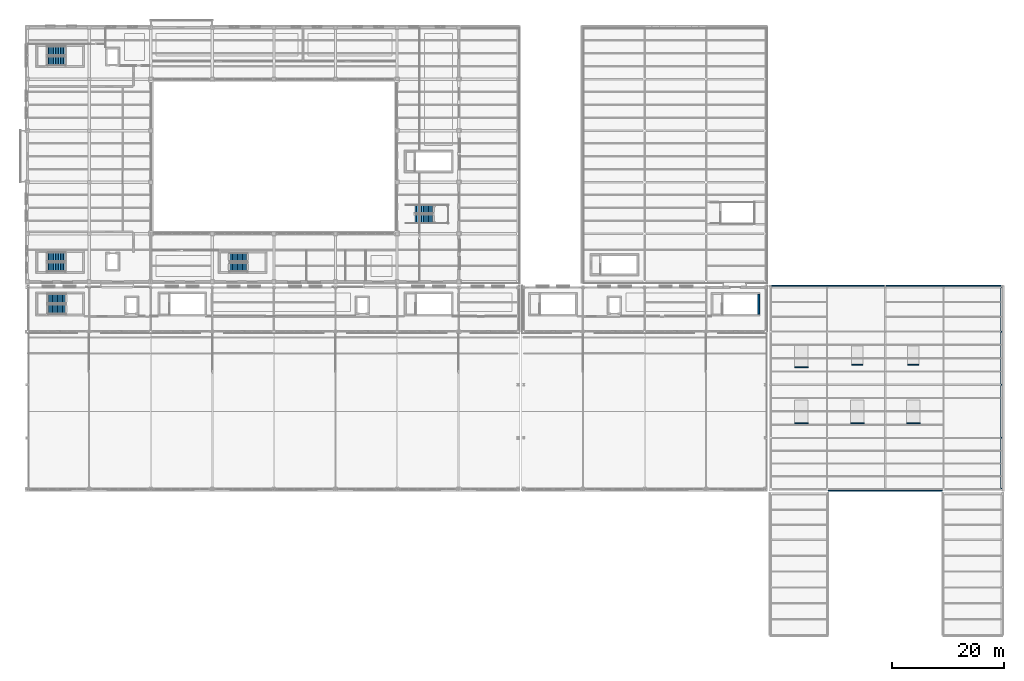
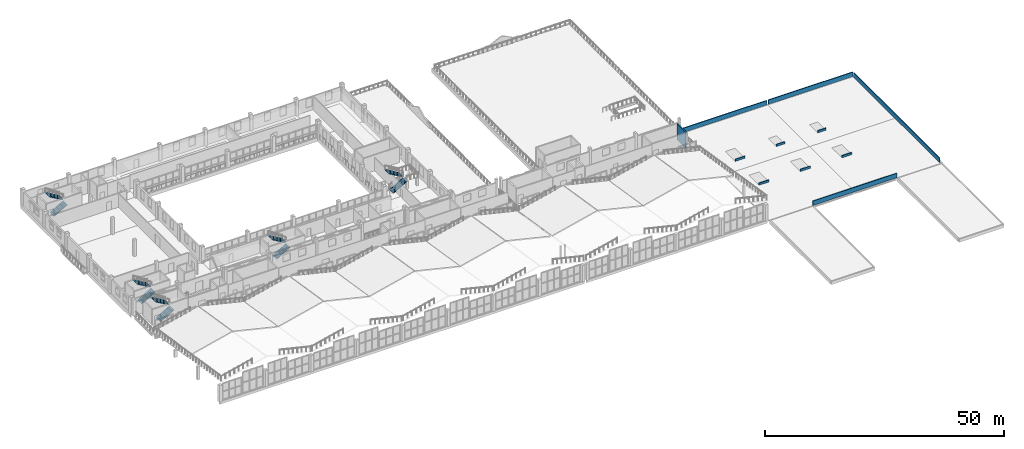
# One storey, part 101 of 120: 11 walls, 10 stair flights, 5 elements without a shape of their own.
"""IFC4 building model written with IfcOpenShell, lengths in metres."""

from ifc_helpers import new_model, si_unit, direction, frame, frame_2d, origin, place, context, subcontext, project, spatial, polyline, rectangle, outline, extrude, material, layer, layer_set, type_object, element, aggregate, save


model = new_model("IFC4")

# Units and contexts
model_context = context("Model", 3, precision=1e-05, world=origin(), true_north=direction((0.0, 1.0)))
body_context = subcontext(model_context, "Body", "Model", "MODEL_VIEW")
ifc_project = project(units=[si_unit("LENGTHUNIT", "METRE"), si_unit("AREAUNIT", "SQUARE_METRE"), si_unit("VOLUMEUNIT", "CUBIC_METRE"), si_unit("PLANEANGLEUNIT", "RADIAN"), si_unit("MASSUNIT", "GRAM", prefix="KILO")], contexts=[model_context])

# Site, building, storey
site_placement = place(None, origin())
site = spatial("IfcSite", under=ifc_project, at=site_placement, CompositionType="ELEMENT")
building_placement = place(site_placement, origin())
building = spatial("IfcBuilding", under=site, at=building_placement, Name="Caurita Quay Ferry Terminal", CompositionType="ELEMENT")
storey_placement = place(building_placement, frame((0.0, 0.0, 9.89990234375)))
storey = spatial("IfcBuildingStorey", under=building, at=storey_placement, Name="L02", CompositionType="ELEMENT", Elevation=9.89990234375)

# Walls
ifc_material_1 = material(Name="Reinforced concrete C35/45", Category="concrete")
ifc_layer_1 = layer(ifc_material_1, 0.300048828125, Name="Interior shear wall 300 mm")
ifc_layer_set_1 = layer_set([ifc_layer_1], Name="Reinforced concrete C35/45")
wall_type_1 = type_object("IfcWallType", Name="WL-CORE-300", PredefinedType="SHEAR", material=ifc_layer_set_1)
wall_1_placement = place(storey_placement, frame((130.60009765625, 65.800048828125, 0.0), z_axis=(0.0, 0.0, 1.0), x_axis=(0.0, 1.0, 0.0)))
element("IfcWall", 1, at=wall_1_placement, inside=storey, type_object=wall_type_1, Name="L02 ST-09 Core Wall East", PredefinedType="SHEAR", context=body_context, shape_type="SweptSolid", body=[
    extrude(rectangle(XDim=3.56005859375, YDim=0.300048828125, at=frame_2d((1.780029296875, 0.0))), origin(), (0.0, 0.0, 1.0), 3.989990234375),
])
ifc_material_2 = material(Name="Coral stone ashlar cladding", Category="masonry")
ifc_layer_2 = layer(ifc_material_2, 0.18994140625, Name="Exterior parapet wall 190 mm")
ifc_layer_set_2 = layer_set([ifc_layer_2], Name="Coral stone ashlar cladding")
wall_type_2 = type_object("IfcWallType", Name="WL-PAR-190", PredefinedType="PARAPET", material=ifc_layer_set_2)
for number, where, z_axis, x_axis, name in (
    (2, (137.0, 46.360107421875, 0.0), (0.0, 0.0, 1.0), (1.0, 0.0, 0.0), "Skylight Curb 01"),
    (3, (147.0, 46.360107421875, 0.0), (0.0, 0.0, 1.0), (1.0, 0.0, 0.0), "Skylight Curb 02"),
    (4, (157.0, 46.360107421875, 0.0), (0.0, 0.0, 1.0), (1.0, 0.0, 0.0), "Skylight Curb 03"),
    (5, (137.0, 56.360107421875, 0.0), (0.0, 0.0, 1.0), (1.0, 0.0, 0.0), "Skylight Curb 04"),
):
    element("IfcWall", number, at=place(storey_placement, frame(where, z_axis=z_axis, x_axis=x_axis)), inside=storey, type_object=wall_type_2, Name=name, PredefinedType="PARAPET", context=body_context, shape_type="SweptSolid", body=[
        extrude(rectangle(XDim=2.39990234375, YDim=0.18994140625, at=frame_2d((1.199951171875, 0.0))), origin(), (0.0, 0.0, 1.0), 0.550048828125),
    ])
for number, where, z_axis, x_axis, name in (
    (6, (147.199951171875, 56.760009765625, 0.0), (0.0, 0.0, 1.0), (1.0, 0.0, 0.0), "Skylight Curb 05"),
    (7, (157.199951171875, 56.760009765625, 0.0), (0.0, 0.0, 1.0), (1.0, 0.0, 0.0), "Skylight Curb 06"),
):
    element("IfcWall", number, at=place(storey_placement, frame(where, z_axis=z_axis, x_axis=x_axis)), inside=storey, type_object=wall_type_2, Name=name, PredefinedType="PARAPET", context=body_context, shape_type="SweptSolid", body=[
        extrude(rectangle(XDim=2.0, YDim=0.18994140625, at=frame_2d((1.0, 0.0))), origin(), (0.0, 0.0, 1.0), 0.550048828125),
    ])
wall_2_placement = place(storey_placement, frame((143.0, 34.300048828125, 0.0), z_axis=(0.0, 0.0, 1.0), x_axis=(1.0, 0.0, 0.0)))
element("IfcWall", 8, at=wall_2_placement, inside=storey, type_object=wall_type_2, Name="L02 Roof Parapet Wall 04", PredefinedType="PARAPET", context=body_context, shape_type="SweptSolid", body=[
    extrude(rectangle(XDim=20.39990234375, YDim=0.18994140625, at=frame_2d((10.199951171875, 0.0))), origin(), (0.0, 0.0, 1.0), 1.150146484375),
])
ifc_material_3 = material(Name="Warm-white lime stucco masonry", Category="masonry")
ifc_layer_3 = layer(ifc_material_3, 0.2099609375, Name="Exterior parapet wall 210 mm")
ifc_layer_set_3 = layer_set([ifc_layer_3], Name="Warm-white lime stucco masonry")
wall_type_3 = type_object("IfcWallType", Name="WL-PAR-210", PredefinedType="PARAPET", material=ifc_layer_set_3)
wall_3_placement = place(storey_placement, frame((132.89990234375, 70.89990234375, 0.0), z_axis=(0.0, 0.0, 1.0), x_axis=(1.0, 0.0, 0.0)))
element("IfcWall", 9, at=wall_3_placement, inside=storey, type_object=wall_type_3, Name="L02 Roof Parapet Wall 01", PredefinedType="PARAPET", context=body_context, shape_type="SweptSolid", body=[
    extrude(rectangle(XDim=20.10009765625, YDim=0.2099609375, at=frame_2d((10.050048828125, 0.0))), origin(), (0.0, 0.0, 1.0), 1.150146484375),
])
wall_4_placement = place(storey_placement, frame((153.39990234375, 70.89990234375, 0.0), z_axis=(0.0, 0.0, 1.0), x_axis=(1.0, 0.0, 0.0)))
element("IfcWall", 10, at=wall_4_placement, inside=storey, type_object=wall_type_3, Name="L02 Roof Parapet Wall 02", PredefinedType="PARAPET", context=body_context, shape_type="SweptSolid", body=[
    extrude(rectangle(XDim=20.400146484375, YDim=0.2099609375, at=frame_2d((10.2001953125, 0.0))), origin(), (0.0, 0.0, 1.0), 1.150146484375),
])
wall_5_placement = place(storey_placement, frame((173.89990234375, 34.60009765625, 0.0), z_axis=(0.0, 0.0, 1.0), x_axis=(0.0, 1.0, 0.0)))
element("IfcWall", 11, at=wall_5_placement, inside=storey, type_object=wall_type_3, Name="L02 Roof Parapet Wall 03", PredefinedType="PARAPET", context=body_context, shape_type="SweptSolid", body=[
    extrude(rectangle(XDim=35.89990234375, YDim=0.2099609375, at=frame_2d((17.949951171875, 0.0))), origin(), (0.0, 0.0, 1.0), 1.150146484375),
])

# Stair, stair flights
stair_type_1 = type_object("IfcStairType", Name="STR-DL-03", PredefinedType="HALF_TURN_STAIR", material=ifc_material_1)
stair_1_placement = place(storey_placement, origin())
stair_1 = element("IfcStair", 12, at=stair_1_placement, inside=storey, type_object=stair_type_1, Name="L02 Protected Exit Stair ST-01", PredefinedType="HALF_TURN_STAIR")
stair_flight_type_1 = type_object("IfcStairFlightType", Name="FLT-DL-03", PredefinedType="STRAIGHT", material=ifc_material_1)
stair_flight_1_placement = place(storey_placement, frame((3.449951171875, 111.02490234375, 0.0), z_axis=(0.0, 0.0, 1.0), x_axis=(1.0, 0.0, 0.0)))
stair_flight_1 = element("IfcStairFlight", 13, at=stair_flight_1_placement, type_object=stair_flight_type_1, Name="ST-01 flight 1", NumberOfRisers=12, NumberOfTreads=11, PredefinedType="STRAIGHT", RiserHeight=0.175, TreadLength=0.3, context=body_context, shape_type="SweptSolid", body=[
    extrude(outline(polyline([(0.0, 0.0), (0.0, 0.175048828125), (0.300048828125, 0.175048828125), (0.300048828125, 0.35009765625), (0.60009765625, 0.35009765625), (0.60009765625, 0.52490234375), (0.89990234375, 0.52490234375), (0.89990234375, 0.699951171875), (1.199951171875, 0.699951171875), (1.199951171875, 0.875), (1.5, 0.875), (1.5, 1.050048828125), (1.800048828125, 1.050048828125), (1.800048828125, 1.22509765625), (2.10009765625, 1.22509765625), (2.10009765625, 1.39990234375), (2.39990234375, 1.39990234375), (2.39990234375, 1.574951171875), (2.699951171875, 1.574951171875), (2.699951171875, 1.75), (3.0, 1.75), (3.0, 1.925048828125), (3.300048828125, 1.925048828125), (3.300048828125, 2.10009765625), (3.300048828125, 1.75146484375), (0.297607421875, 0.0), (0.0, 0.0)])), frame((0.0, 0.824951171875, 0.0), z_axis=(0.0, -1.0, 0.0), x_axis=(1.0, 0.0, 0.0)), (0.0, 0.0, 1.0), 1.64990234375),
])
stair_flight_2_placement = place(storey_placement, frame((6.75, 112.8349609375, 2.10009765625), z_axis=(0.0, 0.0, 1.0), x_axis=(-1.0, 0.0, 0.0)))
stair_flight_2 = element("IfcStairFlight", 14, at=stair_flight_2_placement, type_object=stair_flight_type_1, Name="ST-01 flight 2", NumberOfRisers=12, NumberOfTreads=11, PredefinedType="STRAIGHT", RiserHeight=0.175, TreadLength=0.3, context=body_context, shape_type="SweptSolid", body=[
    extrude(outline(polyline([(0.0, 0.0), (0.0, 0.175048828125), (0.300048828125, 0.175048828125), (0.300048828125, 0.35009765625), (0.60009765625, 0.35009765625), (0.60009765625, 0.52490234375), (0.89990234375, 0.52490234375), (0.89990234375, 0.699951171875), (1.199951171875, 0.699951171875), (1.199951171875, 0.875), (1.5, 0.875), (1.5, 1.050048828125), (1.800048828125, 1.050048828125), (1.800048828125, 1.22509765625), (2.10009765625, 1.22509765625), (2.10009765625, 1.39990234375), (2.39990234375, 1.39990234375), (2.39990234375, 1.574951171875), (2.699951171875, 1.574951171875), (2.699951171875, 1.75), (3.0, 1.75), (3.0, 1.925048828125), (3.300048828125, 1.925048828125), (3.300048828125, 2.10009765625), (3.300048828125, 1.75146484375), (0.297607421875, 0.0), (0.0, 0.0)])), frame((0.0, 0.824951171875, 0.0), z_axis=(0.0, -1.0, 0.0), x_axis=(1.0, 0.0, 0.0)), (0.0, 0.0, 1.0), 1.64990234375),
])
aggregate(stair_1, [stair_flight_1, stair_flight_2])

stair_2_placement = place(storey_placement, origin())
stair_2 = element("IfcStair", 15, at=stair_2_placement, inside=storey, type_object=stair_type_1, Name="L02 Protected Exit Stair ST-02", PredefinedType="HALF_TURN_STAIR")
stair_flight_3_placement = place(storey_placement, frame((3.449951171875, 74.22509765625, 0.0), z_axis=(0.0, 0.0, 1.0), x_axis=(1.0, 0.0, 0.0)))
stair_flight_3 = element("IfcStairFlight", 16, at=stair_flight_3_placement, type_object=stair_flight_type_1, Name="ST-02 flight 1", NumberOfRisers=12, NumberOfTreads=11, PredefinedType="STRAIGHT", RiserHeight=0.175, TreadLength=0.3, context=body_context, shape_type="SweptSolid", body=[
    extrude(outline(polyline([(0.0, 0.0), (0.0, 0.175048828125), (0.300048828125, 0.175048828125), (0.300048828125, 0.35009765625), (0.60009765625, 0.35009765625), (0.60009765625, 0.52490234375), (0.89990234375, 0.52490234375), (0.89990234375, 0.699951171875), (1.199951171875, 0.699951171875), (1.199951171875, 0.875), (1.5, 0.875), (1.5, 1.050048828125), (1.800048828125, 1.050048828125), (1.800048828125, 1.22509765625), (2.10009765625, 1.22509765625), (2.10009765625, 1.39990234375), (2.39990234375, 1.39990234375), (2.39990234375, 1.574951171875), (2.699951171875, 1.574951171875), (2.699951171875, 1.75), (3.0, 1.75), (3.0, 1.925048828125), (3.300048828125, 1.925048828125), (3.300048828125, 2.10009765625), (3.300048828125, 1.75146484375), (0.297607421875, 0.0), (0.0, 0.0)])), frame((0.0, 0.824951171875, 0.0), z_axis=(0.0, -1.0, 0.0), x_axis=(1.0, 0.0, 0.0)), (0.0, 0.0, 1.0), 1.64990234375),
])
stair_flight_4_placement = place(storey_placement, frame((6.75, 76.034912109375, 2.10009765625), z_axis=(0.0, 0.0, 1.0), x_axis=(-1.0, 0.0, 0.0)))
stair_flight_4 = element("IfcStairFlight", 17, at=stair_flight_4_placement, type_object=stair_flight_type_1, Name="ST-02 flight 2", NumberOfRisers=12, NumberOfTreads=11, PredefinedType="STRAIGHT", RiserHeight=0.175, TreadLength=0.3, context=body_context, shape_type="SweptSolid", body=[
    extrude(outline(polyline([(0.0, 0.0), (0.0, 0.175048828125), (0.300048828125, 0.175048828125), (0.300048828125, 0.35009765625), (0.60009765625, 0.35009765625), (0.60009765625, 0.52490234375), (0.89990234375, 0.52490234375), (0.89990234375, 0.699951171875), (1.199951171875, 0.699951171875), (1.199951171875, 0.875), (1.5, 0.875), (1.5, 1.050048828125), (1.800048828125, 1.050048828125), (1.800048828125, 1.22509765625), (2.10009765625, 1.22509765625), (2.10009765625, 1.39990234375), (2.39990234375, 1.39990234375), (2.39990234375, 1.574951171875), (2.699951171875, 1.574951171875), (2.699951171875, 1.75), (3.0, 1.75), (3.0, 1.925048828125), (3.300048828125, 1.925048828125), (3.300048828125, 2.10009765625), (3.300048828125, 1.75146484375), (0.297607421875, 0.0), (0.0, 0.0)])), frame((0.0, 0.824951171875, 0.0), z_axis=(0.0, -1.0, 0.0), x_axis=(1.0, 0.0, 0.0)), (0.0, 0.0, 1.0), 1.64990234375),
])
aggregate(stair_2, [stair_flight_3, stair_flight_4])

stair_type_2 = type_object("IfcStairType", Name="STR-DL-06", PredefinedType="HALF_TURN_STAIR", material=ifc_material_1)
stair_3_placement = place(storey_placement, origin())
stair_3 = element("IfcStair", 18, at=stair_3_placement, inside=storey, type_object=stair_type_2, Name="L02 Protected Exit Stair ST-03", PredefinedType="HALF_TURN_STAIR")
stair_flight_type_2 = type_object("IfcStairFlightType", Name="FLT-DL-06", PredefinedType="STRAIGHT", material=ifc_material_1)
stair_flight_5_placement = place(storey_placement, frame((36.0, 74.199951171875, 0.0), z_axis=(0.0, 0.0, 1.0), x_axis=(1.0, 0.0, 0.0)))
stair_flight_5 = element("IfcStairFlight", 19, at=stair_flight_5_placement, type_object=stair_flight_type_2, Name="ST-03 flight 1", NumberOfRisers=12, NumberOfTreads=11, PredefinedType="STRAIGHT", RiserHeight=0.175, TreadLength=0.3, context=body_context, shape_type="SweptSolid", body=[
    extrude(outline(polyline([(0.0, 0.0), (0.0, 0.175048828125), (0.300048828125, 0.175048828125), (0.300048828125, 0.35009765625), (0.60009765625, 0.35009765625), (0.60009765625, 0.52490234375), (0.89990234375, 0.52490234375), (0.89990234375, 0.699951171875), (1.199951171875, 0.699951171875), (1.199951171875, 0.875), (1.5, 0.875), (1.5, 1.050048828125), (1.800048828125, 1.050048828125), (1.800048828125, 1.22509765625), (2.10009765625, 1.22509765625), (2.10009765625, 1.39990234375), (2.39990234375, 1.39990234375), (2.39990234375, 1.574951171875), (2.699951171875, 1.574951171875), (2.699951171875, 1.75), (3.0, 1.75), (3.0, 1.925048828125), (3.300048828125, 1.925048828125), (3.300048828125, 2.10009765625), (3.300048828125, 1.75146484375), (0.297607421875, 0.0), (0.0, 0.0)])), frame((0.0, 0.800048828125, 0.0), z_axis=(0.0, -1.0, 0.0), x_axis=(1.0, 0.0, 0.0)), (0.0, 0.0, 1.0), 1.60009765625),
])
stair_flight_6_placement = place(storey_placement, frame((39.300048828125, 75.9599609375, 2.10009765625), z_axis=(0.0, 0.0, 1.0), x_axis=(-1.0, 0.0, 0.0)))
stair_flight_6 = element("IfcStairFlight", 20, at=stair_flight_6_placement, type_object=stair_flight_type_2, Name="ST-03 flight 2", NumberOfRisers=12, NumberOfTreads=11, PredefinedType="STRAIGHT", RiserHeight=0.175, TreadLength=0.3, context=body_context, shape_type="SweptSolid", body=[
    extrude(outline(polyline([(0.0, 0.0), (0.0, 0.175048828125), (0.300048828125, 0.175048828125), (0.300048828125, 0.35009765625), (0.60009765625, 0.35009765625), (0.60009765625, 0.52490234375), (0.89990234375, 0.52490234375), (0.89990234375, 0.699951171875), (1.199951171875, 0.699951171875), (1.199951171875, 0.875), (1.5, 0.875), (1.5, 1.050048828125), (1.800048828125, 1.050048828125), (1.800048828125, 1.22509765625), (2.10009765625, 1.22509765625), (2.10009765625, 1.39990234375), (2.39990234375, 1.39990234375), (2.39990234375, 1.574951171875), (2.699951171875, 1.574951171875), (2.699951171875, 1.75), (3.0, 1.75), (3.0, 1.925048828125), (3.300048828125, 1.925048828125), (3.300048828125, 2.10009765625), (3.300048828125, 1.75146484375), (0.297607421875, 0.0), (0.0, 0.0)])), frame((0.0, 0.800048828125, 0.0), z_axis=(0.0, -1.0, 0.0), x_axis=(1.0, 0.0, 0.0)), (0.0, 0.0, 1.0), 1.60009765625),
])
aggregate(stair_3, [stair_flight_5, stair_flight_6])

stair_4_placement = place(storey_placement, origin())
stair_4 = element("IfcStair", 21, at=stair_4_placement, inside=storey, type_object=stair_type_2, Name="L02 Promenade Stair ST-14", PredefinedType="HALF_TURN_STAIR")
stair_flight_7_placement = place(storey_placement, frame((69.199951171875, 82.800048828125, 0.0), z_axis=(0.0, 0.0, 1.0), x_axis=(1.0, 0.0, 0.0)))
stair_flight_7 = element("IfcStairFlight", 22, at=stair_flight_7_placement, type_object=stair_flight_type_2, Name="ST-14 flight 1", NumberOfRisers=12, NumberOfTreads=11, PredefinedType="STRAIGHT", RiserHeight=0.175, TreadLength=0.3, context=body_context, shape_type="SweptSolid", body=[
    extrude(outline(polyline([(0.0, 0.0), (0.0, 0.175048828125), (0.300048828125, 0.175048828125), (0.300048828125, 0.35009765625), (0.60009765625, 0.35009765625), (0.60009765625, 0.52490234375), (0.89990234375, 0.52490234375), (0.89990234375, 0.699951171875), (1.199951171875, 0.699951171875), (1.199951171875, 0.875), (1.5, 0.875), (1.5, 1.050048828125), (1.800048828125, 1.050048828125), (1.800048828125, 1.22509765625), (2.10009765625, 1.22509765625), (2.10009765625, 1.39990234375), (2.39990234375, 1.39990234375), (2.39990234375, 1.574951171875), (2.699951171875, 1.574951171875), (2.699951171875, 1.75), (3.0, 1.75), (3.0, 1.925048828125), (3.300048828125, 1.925048828125), (3.300048828125, 2.10009765625), (3.300048828125, 1.75146484375), (0.297607421875, 0.0), (0.0, 0.0)])), frame((0.0, 0.800048828125, 0.0), z_axis=(0.0, -1.0, 0.0), x_axis=(1.0, 0.0, 0.0)), (0.0, 0.0, 1.0), 1.60009765625),
])
stair_flight_8_placement = place(storey_placement, frame((72.5, 84.56005859375, 2.10009765625), z_axis=(0.0, 0.0, 1.0), x_axis=(-1.0, 0.0, 0.0)))
stair_flight_8 = element("IfcStairFlight", 23, at=stair_flight_8_placement, type_object=stair_flight_type_2, Name="ST-14 flight 2", NumberOfRisers=12, NumberOfTreads=11, PredefinedType="STRAIGHT", RiserHeight=0.175, TreadLength=0.3, context=body_context, shape_type="SweptSolid", body=[
    extrude(outline(polyline([(0.0, 0.0), (0.0, 0.175048828125), (0.300048828125, 0.175048828125), (0.300048828125, 0.35009765625), (0.60009765625, 0.35009765625), (0.60009765625, 0.52490234375), (0.89990234375, 0.52490234375), (0.89990234375, 0.699951171875), (1.199951171875, 0.699951171875), (1.199951171875, 0.875), (1.5, 0.875), (1.5, 1.050048828125), (1.800048828125, 1.050048828125), (1.800048828125, 1.22509765625), (2.10009765625, 1.22509765625), (2.10009765625, 1.39990234375), (2.39990234375, 1.39990234375), (2.39990234375, 1.574951171875), (2.699951171875, 1.574951171875), (2.699951171875, 1.75), (3.0, 1.75), (3.0, 1.925048828125), (3.300048828125, 1.925048828125), (3.300048828125, 2.10009765625), (3.300048828125, 1.75146484375), (0.297607421875, 0.0), (0.0, 0.0)])), frame((0.0, 0.800048828125, 0.0), z_axis=(0.0, -1.0, 0.0), x_axis=(1.0, 0.0, 0.0)), (0.0, 0.0, 1.0), 1.60009765625),
])
aggregate(stair_4, [stair_flight_7, stair_flight_8])

stair_type_3 = type_object("IfcStairType", Name="STR-DL-09", PredefinedType="HALF_TURN_STAIR", material=ifc_material_1)
stair_5_placement = place(storey_placement, origin())
stair_5 = element("IfcStair", 24, at=stair_5_placement, inside=storey, type_object=stair_type_3, Name="L02 Protected Exit Stair ST-05", PredefinedType="HALF_TURN_STAIR")
stair_flight_type_3 = type_object("IfcStairFlightType", Name="FLT-DL-09", PredefinedType="STRAIGHT", material=ifc_material_1)
stair_flight_9_placement = place(storey_placement, frame((3.550048828125, 66.675048828125, 0.0), z_axis=(0.0, 0.0, 1.0), x_axis=(1.0, 0.0, 0.0)))
stair_flight_9 = element("IfcStairFlight", 25, at=stair_flight_9_placement, type_object=stair_flight_type_3, Name="ST-05 flight 1", NumberOfRisers=12, NumberOfTreads=11, PredefinedType="STRAIGHT", RiserHeight=0.175, TreadLength=0.3, context=body_context, shape_type="SweptSolid", body=[
    extrude(outline(polyline([(0.0, 0.0), (0.0, 0.175048828125), (0.300048828125, 0.175048828125), (0.300048828125, 0.35009765625), (0.60009765625, 0.35009765625), (0.60009765625, 0.52490234375), (0.89990234375, 0.52490234375), (0.89990234375, 0.699951171875), (1.199951171875, 0.699951171875), (1.199951171875, 0.875), (1.5, 0.875), (1.5, 1.050048828125), (1.800048828125, 1.050048828125), (1.800048828125, 1.22509765625), (2.10009765625, 1.22509765625), (2.10009765625, 1.39990234375), (2.39990234375, 1.39990234375), (2.39990234375, 1.574951171875), (2.699951171875, 1.574951171875), (2.699951171875, 1.75), (3.0, 1.75), (3.0, 1.925048828125), (3.300048828125, 1.925048828125), (3.300048828125, 2.10009765625), (3.300048828125, 1.75146484375), (0.297607421875, 0.0), (0.0, 0.0)])), frame((0.0, 0.875, 0.0), z_axis=(0.0, -1.0, 0.0), x_axis=(1.0, 0.0, 0.0)), (0.0, 0.0, 1.0), 1.75),
])
stair_flight_10_placement = place(storey_placement, frame((6.85009765625, 68.5849609375, 2.10009765625), z_axis=(0.0, 0.0, 1.0), x_axis=(-1.0, 0.0, 0.0)))
stair_flight_10 = element("IfcStairFlight", 26, at=stair_flight_10_placement, type_object=stair_flight_type_3, Name="ST-05 flight 2", NumberOfRisers=12, NumberOfTreads=11, PredefinedType="STRAIGHT", RiserHeight=0.175, TreadLength=0.3, context=body_context, shape_type="SweptSolid", body=[
    extrude(outline(polyline([(0.0, 0.0), (0.0, 0.175048828125), (0.300048828125, 0.175048828125), (0.300048828125, 0.35009765625), (0.60009765625, 0.35009765625), (0.60009765625, 0.52490234375), (0.89990234375, 0.52490234375), (0.89990234375, 0.699951171875), (1.199951171875, 0.699951171875), (1.199951171875, 0.875), (1.5, 0.875), (1.5, 1.050048828125), (1.800048828125, 1.050048828125), (1.800048828125, 1.22509765625), (2.10009765625, 1.22509765625), (2.10009765625, 1.39990234375), (2.39990234375, 1.39990234375), (2.39990234375, 1.574951171875), (2.699951171875, 1.574951171875), (2.699951171875, 1.75), (3.0, 1.75), (3.0, 1.925048828125), (3.300048828125, 1.925048828125), (3.300048828125, 2.10009765625), (3.300048828125, 1.75146484375), (0.297607421875, 0.0), (0.0, 0.0)])), frame((0.0, 0.875, 0.0), z_axis=(0.0, -1.0, 0.0), x_axis=(1.0, 0.0, 0.0)), (0.0, 0.0, 1.0), 1.75),
])
aggregate(stair_5, [stair_flight_9, stair_flight_10])

save(model, "model.ifc")
